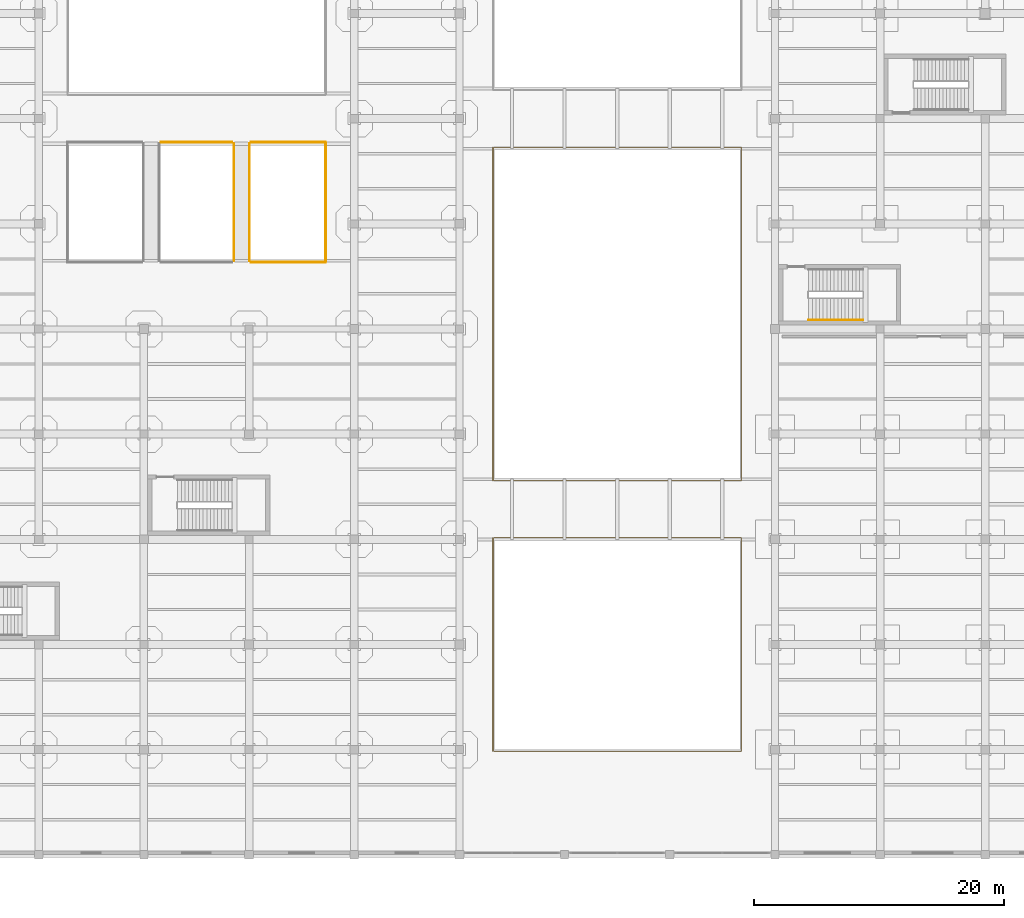
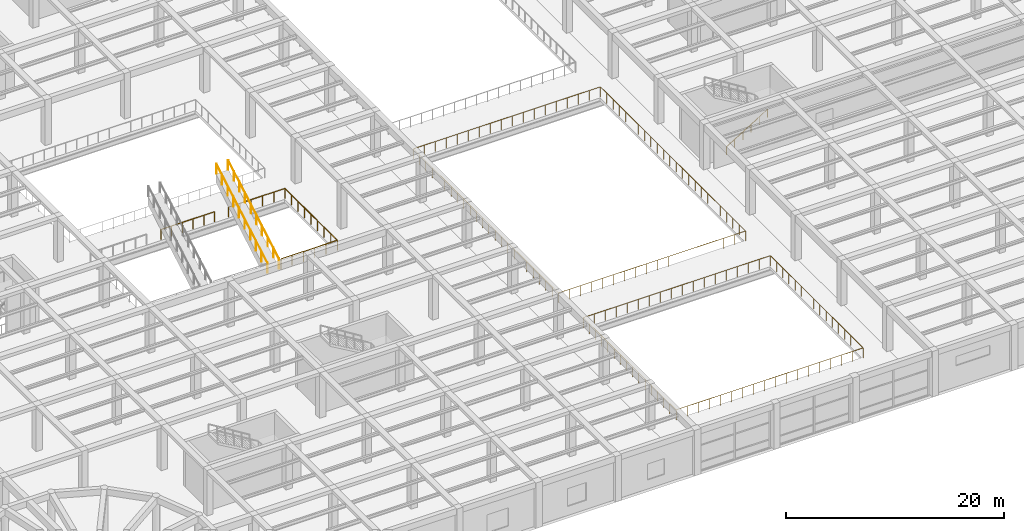
# One storey, part 86 of 96: 8 railings.
"""IFC4 building model written with IfcOpenShell, lengths in metres."""

from ifc_helpers import new_model, si_unit, direction, frame, origin, origin_2d, place, context, subcontext, project, spatial, circle, extrude, material, type_object, element, save


model = new_model("IFC4")

# Units and contexts
model_context = context("Model", 3, precision=1e-05, world=origin(), true_north=direction((0.0, 1.0)))
body_context = subcontext(model_context, "Body", "Model", "MODEL_VIEW")
ifc_project = project(units=[si_unit("LENGTHUNIT", "METRE"), si_unit("AREAUNIT", "SQUARE_METRE"), si_unit("VOLUMEUNIT", "CUBIC_METRE"), si_unit("PLANEANGLEUNIT", "RADIAN"), si_unit("MASSUNIT", "GRAM", prefix="KILO")], contexts=[model_context])

# Site, building, storey
site_placement = place(None, origin())
site = spatial("IfcSite", under=ifc_project, at=site_placement, CompositionType="ELEMENT")
building_placement = place(site_placement, origin())
building = spatial("IfcBuilding", under=site, at=building_placement, Name="Almacenes y Pasaje Nevantli", CompositionType="ELEMENT")
storey_placement = place(building_placement, frame((0.0, 0.0, 6.0)))
storey = spatial("IfcBuildingStorey", under=building, at=storey_placement, Name="L02", CompositionType="ELEMENT", Elevation=6.0)

# Railings
ifc_material_1 = material(Name="Brushed Stainless Steel and Tempered Safety Glass", Category="steel")
railing_type_1 = type_object("IfcRailingType", Name="RL-GUARD-1100", PredefinedType="BALUSTRADE", material=ifc_material_1)
for number, where, name in (
    (1, (49.179931640625, 47.449951171875, 0.0), "Atrium Escalator ESC-04 W Balustrade"),
    (2, (50.419921875, 47.449951171875, 0.0), "Atrium Escalator ESC-04 E Balustrade"),
):
    element("IfcRailing", number, at=place(storey_placement, frame(where)), inside=storey, type_object=railing_type_1, Name=name, PredefinedType="BALUSTRADE", context=body_context, shape_type="SweptSolid", body=[
        extrude(circle(Radius=0.02392578125, at=origin_2d()), frame((0.0, 0.02587890625, 1.140869140625), z_axis=(0.0, 0.865960390863, 0.50011258878), x_axis=(-1.0, 0.0, 0.0)), (0.0, 0.0, 1.0), 10.7373046875),
        extrude(circle(Radius=0.02099609375, at=origin_2d()), origin(), (0.0, 0.0, 1.0), 1.096923828125),
        extrude(circle(Radius=0.02099609375, at=origin_2d()), frame((0.0, 1.038818359375, 0.60009765625)), (0.0, 0.0, 1.0), 1.096923828125),
        extrude(circle(Radius=0.02099609375, at=origin_2d()), frame((0.0, 2.077880859375, 1.199951171875)), (0.0, 0.0, 1.0), 1.096923828125),
        extrude(circle(Radius=0.02099609375, at=origin_2d()), frame((0.0, 3.11669921875, 1.800048828125)), (0.0, 0.0, 1.0), 1.096923828125),
        extrude(circle(Radius=0.02099609375, at=origin_2d()), frame((0.0, 4.155517578125, 2.39990234375)), (0.0, 0.0, 1.0), 1.096923828125),
        extrude(circle(Radius=0.02099609375, at=origin_2d()), frame((0.0, 5.194580078125, 3.0)), (0.0, 0.0, 1.0), 1.096923828125),
        extrude(circle(Radius=0.02099609375, at=origin_2d()), frame((0.0, 6.2333984375, 3.599853515625)), (0.0, 0.0, 1.0), 1.096923828125),
        extrude(circle(Radius=0.02099609375, at=origin_2d()), frame((0.0, 7.272216796875, 4.199951171875)), (0.0, 0.0, 1.0), 1.096923828125),
        extrude(circle(Radius=0.02099609375, at=origin_2d()), frame((0.0, 8.311279296875, 4.7998046875)), (0.0, 0.0, 1.0), 1.096923828125),
        extrude(circle(Radius=0.02099609375, at=origin_2d()), frame((0.0, 9.35009765625, 5.39990234375)), (0.0, 0.0, 1.0), 1.096923828125),
    ])
railing_1_placement = place(storey_placement, frame((43.35009765625, 56.919921875, 0.0)))
element("IfcRailing", 3, at=railing_1_placement, inside=storey, type_object=railing_type_1, Name="L02 South Atrium Bridge Center Guard Balustrade", PredefinedType="BALUSTRADE", context=body_context, shape_type="SweptSolid", body=[
    extrude(circle(Radius=0.02392578125, at=origin_2d()), frame((0.030029296875, 0.0, 1.1259765625), z_axis=(1.0, 0.0, 0.0), x_axis=(0.0, 1.0, 0.0)), (0.0, 0.0, 1.0), 5.639892578125),
    extrude(circle(Radius=0.02099609375, at=origin_2d()), origin(), (0.0, 0.0, 1.0), 1.096923828125),
    extrude(circle(Radius=0.02099609375, at=origin_2d()), frame((1.139892578125, 0.0, 0.0)), (0.0, 0.0, 1.0), 1.096923828125),
    extrude(circle(Radius=0.02099609375, at=origin_2d()), frame((2.280029296875, 0.0, 0.0)), (0.0, 0.0, 1.0), 1.096923828125),
    extrude(circle(Radius=0.02099609375, at=origin_2d()), frame((3.419921875, 0.0, 0.0)), (0.0, 0.0, 1.0), 1.096923828125),
    extrude(circle(Radius=0.02099609375, at=origin_2d()), frame((4.56005859375, 0.0, 0.0)), (0.0, 0.0, 1.0), 1.096923828125),
    extrude(circle(Radius=0.02099609375, at=origin_2d()), frame((5.699951171875, 0.0, 0.0)), (0.0, 0.0, 1.0), 1.096923828125),
])
railing_2_placement = place(storey_placement, frame((50.550048828125, 56.919921875, 0.0)))
element("IfcRailing", 4, at=railing_2_placement, inside=storey, type_object=railing_type_1, Name="L02 South Atrium Void East Guard Balustrade", PredefinedType="BALUSTRADE", context=body_context, shape_type="SweptSolid", body=[
    extrude(circle(Radius=0.02392578125, at=origin_2d()), frame((0.030029296875, 0.0, 1.1259765625), z_axis=(1.0, 0.0, 0.0), x_axis=(0.0, 1.0, 0.0)), (0.0, 0.0, 1.0), 5.909912109375),
    extrude(circle(Radius=0.02392578125, at=origin_2d()), frame((5.969970703125, -0.030029296875, 1.1259765625), z_axis=(0.0, -1.0, 0.0), x_axis=(1.0, 0.0, 0.0)), (0.0, 0.0, 1.0), 9.52978515625),
    extrude(circle(Radius=0.02099609375, at=origin_2d()), origin(), (0.0, 0.0, 1.0), 1.096923828125),
    extrude(circle(Radius=0.02099609375, at=origin_2d()), frame((1.194091796875, 0.0, 0.0)), (0.0, 0.0, 1.0), 1.096923828125),
    extrude(circle(Radius=0.02099609375, at=origin_2d()), frame((2.387939453125, 0.0, 0.0)), (0.0, 0.0, 1.0), 1.096923828125),
    extrude(circle(Radius=0.02099609375, at=origin_2d()), frame((3.58203125, 0.0, 0.0)), (0.0, 0.0, 1.0), 1.096923828125),
    extrude(circle(Radius=0.02099609375, at=origin_2d()), frame((4.77587890625, 0.0, 0.0)), (0.0, 0.0, 1.0), 1.096923828125),
    extrude(circle(Radius=0.02099609375, at=origin_2d()), frame((5.969970703125, 0.0, 0.0)), (0.0, 0.0, 1.0), 1.096923828125),
    extrude(circle(Radius=0.02099609375, at=origin_2d()), frame((5.969970703125, -1.19873046875, 0.0)), (0.0, 0.0, 1.0), 1.096923828125),
    extrude(circle(Radius=0.02099609375, at=origin_2d()), frame((5.969970703125, -2.3974609375, 0.0)), (0.0, 0.0, 1.0), 1.096923828125),
    extrude(circle(Radius=0.02099609375, at=origin_2d()), frame((5.969970703125, -3.59619140625, 0.0)), (0.0, 0.0, 1.0), 1.096923828125),
    extrude(circle(Radius=0.02099609375, at=origin_2d()), frame((5.969970703125, -4.794921875, 0.0)), (0.0, 0.0, 1.0), 1.096923828125),
    extrude(circle(Radius=0.02099609375, at=origin_2d()), frame((5.969970703125, -5.99365234375, 0.0)), (0.0, 0.0, 1.0), 1.096923828125),
    extrude(circle(Radius=0.02099609375, at=origin_2d()), frame((5.969970703125, -7.1923828125, 0.0)), (0.0, 0.0, 1.0), 1.096923828125),
    extrude(circle(Radius=0.02099609375, at=origin_2d()), frame((5.969970703125, -8.39111328125, 0.0)), (0.0, 0.0, 1.0), 1.096923828125),
    extrude(circle(Radius=0.02099609375, at=origin_2d()), frame((5.969970703125, -9.58984375, 0.0)), (0.0, 0.0, 1.0), 1.096923828125),
])
railing_3_placement = place(storey_placement, frame((50.550048828125, 47.330078125, 0.0)))
element("IfcRailing", 5, at=railing_3_placement, inside=storey, type_object=railing_type_1, Name="L02 South Atrium South-East Guard", PredefinedType="BALUSTRADE", context=body_context, shape_type="SweptSolid", body=[
    extrude(circle(Radius=0.02392578125, at=origin_2d()), frame((0.030029296875, 0.0, 1.1259765625), z_axis=(1.0, 0.0, 0.0), x_axis=(0.0, 1.0, 0.0)), (0.0, 0.0, 1.0), 5.909912109375),
    extrude(circle(Radius=0.02099609375, at=origin_2d()), origin(), (0.0, 0.0, 1.0), 1.096923828125),
    extrude(circle(Radius=0.02099609375, at=origin_2d()), frame((1.194091796875, 0.0, 0.0)), (0.0, 0.0, 1.0), 1.096923828125),
    extrude(circle(Radius=0.02099609375, at=origin_2d()), frame((2.387939453125, 0.0, 0.0)), (0.0, 0.0, 1.0), 1.096923828125),
    extrude(circle(Radius=0.02099609375, at=origin_2d()), frame((3.58203125, 0.0, 0.0)), (0.0, 0.0, 1.0), 1.096923828125),
    extrude(circle(Radius=0.02099609375, at=origin_2d()), frame((4.77587890625, 0.0, 0.0)), (0.0, 0.0, 1.0), 1.096923828125),
    extrude(circle(Radius=0.02099609375, at=origin_2d()), frame((5.969970703125, 0.0, 0.0)), (0.0, 0.0, 1.0), 1.096923828125),
])
railing_4_placement = place(storey_placement, frame((69.8798828125, 8.280029296875, 0.0)))
element("IfcRailing", 6, at=railing_4_placement, inside=storey, type_object=railing_type_1, Name="L02 Arcade Galleria Void VOID-ARC-1 Guard Balustrade", PredefinedType="BALUSTRADE", context=body_context, shape_type="SweptSolid", body=[
    extrude(circle(Radius=0.02392578125, at=origin_2d()), frame((0.030029296875, 0.0, 1.1259765625), z_axis=(1.0, 0.0, 0.0), x_axis=(0.0, 1.0, 0.0)), (0.0, 0.0, 1.0), 19.780029296875),
    extrude(circle(Radius=0.02392578125, at=origin_2d()), frame((19.840087890625, 0.030029296875, 1.1259765625), z_axis=(0.0, 1.0, 0.0), x_axis=(-1.0, 0.0, 0.0)), (0.0, 0.0, 1.0), 16.97998046875),
    extrude(circle(Radius=0.02392578125, at=origin_2d()), frame((19.81005859375, 17.0400390625, 1.1259765625), z_axis=(-1.0, 0.0, 0.0), x_axis=(0.0, -1.0, 0.0)), (0.0, 0.0, 1.0), 19.780029296875),
    extrude(circle(Radius=0.02392578125, at=origin_2d()), frame((0.0, 17.010009765625, 1.1259765625), z_axis=(0.0, -1.0, 0.0), x_axis=(1.0, 0.0, 0.0)), (0.0, 0.0, 1.0), 16.97998046875),
    extrude(circle(Radius=0.02099609375, at=origin_2d()), origin(), (0.0, 0.0, 1.0), 1.096923828125),
    extrude(circle(Radius=0.02099609375, at=origin_2d()), frame((1.1669921875, 0.0, 0.0)), (0.0, 0.0, 1.0), 1.096923828125),
    extrude(circle(Radius=0.02099609375, at=origin_2d()), frame((2.334228515625, 0.0, 0.0)), (0.0, 0.0, 1.0), 1.096923828125),
    extrude(circle(Radius=0.02099609375, at=origin_2d()), frame((3.501220703125, 0.0, 0.0)), (0.0, 0.0, 1.0), 1.096923828125),
    extrude(circle(Radius=0.02099609375, at=origin_2d()), frame((4.668212890625, 0.0, 0.0)), (0.0, 0.0, 1.0), 1.096923828125),
    extrude(circle(Radius=0.02099609375, at=origin_2d()), frame((5.835205078125, 0.0, 0.0)), (0.0, 0.0, 1.0), 1.096923828125),
    extrude(circle(Radius=0.02099609375, at=origin_2d()), frame((7.00244140625, 0.0, 0.0)), (0.0, 0.0, 1.0), 1.096923828125),
    extrude(circle(Radius=0.02099609375, at=origin_2d()), frame((8.16943359375, 0.0, 0.0)), (0.0, 0.0, 1.0), 1.096923828125),
    extrude(circle(Radius=0.02099609375, at=origin_2d()), frame((9.33642578125, 0.0, 0.0)), (0.0, 0.0, 1.0), 1.096923828125),
    extrude(circle(Radius=0.02099609375, at=origin_2d()), frame((10.503662109375, 0.0, 0.0)), (0.0, 0.0, 1.0), 1.096923828125),
    extrude(circle(Radius=0.02099609375, at=origin_2d()), frame((11.670654296875, 0.0, 0.0)), (0.0, 0.0, 1.0), 1.096923828125),
    extrude(circle(Radius=0.02099609375, at=origin_2d()), frame((12.837646484375, 0.0, 0.0)), (0.0, 0.0, 1.0), 1.096923828125),
    extrude(circle(Radius=0.02099609375, at=origin_2d()), frame((14.0048828125, 0.0, 0.0)), (0.0, 0.0, 1.0), 1.096923828125),
    extrude(circle(Radius=0.02099609375, at=origin_2d()), frame((15.171875, 0.0, 0.0)), (0.0, 0.0, 1.0), 1.096923828125),
    extrude(circle(Radius=0.02099609375, at=origin_2d()), frame((16.3388671875, 0.0, 0.0)), (0.0, 0.0, 1.0), 1.096923828125),
    extrude(circle(Radius=0.02099609375, at=origin_2d()), frame((17.505859375, 0.0, 0.0)), (0.0, 0.0, 1.0), 1.096923828125),
    extrude(circle(Radius=0.02099609375, at=origin_2d()), frame((18.673095703125, 0.0, 0.0)), (0.0, 0.0, 1.0), 1.096923828125),
    extrude(circle(Radius=0.02099609375, at=origin_2d()), frame((19.840087890625, 0.0, 0.0)), (0.0, 0.0, 1.0), 1.096923828125),
    extrude(circle(Radius=0.02099609375, at=origin_2d()), frame((19.840087890625, 1.135986328125, 0.0)), (0.0, 0.0, 1.0), 1.096923828125),
    extrude(circle(Radius=0.02099609375, at=origin_2d()), frame((19.840087890625, 2.27197265625, 0.0)), (0.0, 0.0, 1.0), 1.096923828125),
    extrude(circle(Radius=0.02099609375, at=origin_2d()), frame((19.840087890625, 3.407958984375, 0.0)), (0.0, 0.0, 1.0), 1.096923828125),
    extrude(circle(Radius=0.02099609375, at=origin_2d()), frame((19.840087890625, 4.5439453125, 0.0)), (0.0, 0.0, 1.0), 1.096923828125),
    extrude(circle(Radius=0.02099609375, at=origin_2d()), frame((19.840087890625, 5.679931640625, 0.0)), (0.0, 0.0, 1.0), 1.096923828125),
    extrude(circle(Radius=0.02099609375, at=origin_2d()), frame((19.840087890625, 6.81591796875, 0.0)), (0.0, 0.0, 1.0), 1.096923828125),
    extrude(circle(Radius=0.02099609375, at=origin_2d()), frame((19.840087890625, 7.951904296875, 0.0)), (0.0, 0.0, 1.0), 1.096923828125),
    extrude(circle(Radius=0.02099609375, at=origin_2d()), frame((19.840087890625, 9.088134765625, 0.0)), (0.0, 0.0, 1.0), 1.096923828125),
    extrude(circle(Radius=0.02099609375, at=origin_2d()), frame((19.840087890625, 10.22412109375, 0.0)), (0.0, 0.0, 1.0), 1.096923828125),
    extrude(circle(Radius=0.02099609375, at=origin_2d()), frame((19.840087890625, 11.360107421875, 0.0)), (0.0, 0.0, 1.0), 1.096923828125),
    extrude(circle(Radius=0.02099609375, at=origin_2d()), frame((19.840087890625, 12.49609375, 0.0)), (0.0, 0.0, 1.0), 1.096923828125),
    extrude(circle(Radius=0.02099609375, at=origin_2d()), frame((19.840087890625, 13.632080078125, 0.0)), (0.0, 0.0, 1.0), 1.096923828125),
    extrude(circle(Radius=0.02099609375, at=origin_2d()), frame((19.840087890625, 14.76806640625, 0.0)), (0.0, 0.0, 1.0), 1.096923828125),
    extrude(circle(Radius=0.02099609375, at=origin_2d()), frame((19.840087890625, 15.904052734375, 0.0)), (0.0, 0.0, 1.0), 1.096923828125),
    extrude(circle(Radius=0.02099609375, at=origin_2d()), frame((19.840087890625, 17.0400390625, 0.0)), (0.0, 0.0, 1.0), 1.096923828125),
    extrude(circle(Radius=0.02099609375, at=origin_2d()), frame((18.673095703125, 17.0400390625, 0.0)), (0.0, 0.0, 1.0), 1.096923828125),
    extrude(circle(Radius=0.02099609375, at=origin_2d()), frame((17.505859375, 17.0400390625, 0.0)), (0.0, 0.0, 1.0), 1.096923828125),
    extrude(circle(Radius=0.02099609375, at=origin_2d()), frame((16.3388671875, 17.0400390625, 0.0)), (0.0, 0.0, 1.0), 1.096923828125),
    extrude(circle(Radius=0.02099609375, at=origin_2d()), frame((15.171875, 17.0400390625, 0.0)), (0.0, 0.0, 1.0), 1.096923828125),
    extrude(circle(Radius=0.02099609375, at=origin_2d()), frame((14.0048828125, 17.0400390625, 0.0)), (0.0, 0.0, 1.0), 1.096923828125),
    extrude(circle(Radius=0.02099609375, at=origin_2d()), frame((12.837646484375, 17.0400390625, 0.0)), (0.0, 0.0, 1.0), 1.096923828125),
    extrude(circle(Radius=0.02099609375, at=origin_2d()), frame((11.670654296875, 17.0400390625, 0.0)), (0.0, 0.0, 1.0), 1.096923828125),
    extrude(circle(Radius=0.02099609375, at=origin_2d()), frame((10.503662109375, 17.0400390625, 0.0)), (0.0, 0.0, 1.0), 1.096923828125),
    extrude(circle(Radius=0.02099609375, at=origin_2d()), frame((9.33642578125, 17.0400390625, 0.0)), (0.0, 0.0, 1.0), 1.096923828125),
    extrude(circle(Radius=0.02099609375, at=origin_2d()), frame((8.16943359375, 17.0400390625, 0.0)), (0.0, 0.0, 1.0), 1.096923828125),
    extrude(circle(Radius=0.02099609375, at=origin_2d()), frame((7.00244140625, 17.0400390625, 0.0)), (0.0, 0.0, 1.0), 1.096923828125),
    extrude(circle(Radius=0.02099609375, at=origin_2d()), frame((5.835205078125, 17.0400390625, 0.0)), (0.0, 0.0, 1.0), 1.096923828125),
    extrude(circle(Radius=0.02099609375, at=origin_2d()), frame((4.668212890625, 17.0400390625, 0.0)), (0.0, 0.0, 1.0), 1.096923828125),
    extrude(circle(Radius=0.02099609375, at=origin_2d()), frame((3.501220703125, 17.0400390625, 0.0)), (0.0, 0.0, 1.0), 1.096923828125),
    extrude(circle(Radius=0.02099609375, at=origin_2d()), frame((2.334228515625, 17.0400390625, 0.0)), (0.0, 0.0, 1.0), 1.096923828125),
    extrude(circle(Radius=0.02099609375, at=origin_2d()), frame((1.1669921875, 17.0400390625, 0.0)), (0.0, 0.0, 1.0), 1.096923828125),
    extrude(circle(Radius=0.02099609375, at=origin_2d()), frame((0.0, 17.0400390625, 0.0)), (0.0, 0.0, 1.0), 1.096923828125),
    extrude(circle(Radius=0.02099609375, at=origin_2d()), frame((0.0, 15.904052734375, 0.0)), (0.0, 0.0, 1.0), 1.096923828125),
    extrude(circle(Radius=0.02099609375, at=origin_2d()), frame((0.0, 14.76806640625, 0.0)), (0.0, 0.0, 1.0), 1.096923828125),
    extrude(circle(Radius=0.02099609375, at=origin_2d()), frame((0.0, 13.632080078125, 0.0)), (0.0, 0.0, 1.0), 1.096923828125),
    extrude(circle(Radius=0.02099609375, at=origin_2d()), frame((0.0, 12.49609375, 0.0)), (0.0, 0.0, 1.0), 1.096923828125),
    extrude(circle(Radius=0.02099609375, at=origin_2d()), frame((0.0, 11.360107421875, 0.0)), (0.0, 0.0, 1.0), 1.096923828125),
    extrude(circle(Radius=0.02099609375, at=origin_2d()), frame((0.0, 10.22412109375, 0.0)), (0.0, 0.0, 1.0), 1.096923828125),
    extrude(circle(Radius=0.02099609375, at=origin_2d()), frame((0.0, 9.088134765625, 0.0)), (0.0, 0.0, 1.0), 1.096923828125),
    extrude(circle(Radius=0.02099609375, at=origin_2d()), frame((0.0, 7.951904296875, 0.0)), (0.0, 0.0, 1.0), 1.096923828125),
    extrude(circle(Radius=0.02099609375, at=origin_2d()), frame((0.0, 6.81591796875, 0.0)), (0.0, 0.0, 1.0), 1.096923828125),
    extrude(circle(Radius=0.02099609375, at=origin_2d()), frame((0.0, 5.679931640625, 0.0)), (0.0, 0.0, 1.0), 1.096923828125),
    extrude(circle(Radius=0.02099609375, at=origin_2d()), frame((0.0, 4.5439453125, 0.0)), (0.0, 0.0, 1.0), 1.096923828125),
    extrude(circle(Radius=0.02099609375, at=origin_2d()), frame((0.0, 3.407958984375, 0.0)), (0.0, 0.0, 1.0), 1.096923828125),
    extrude(circle(Radius=0.02099609375, at=origin_2d()), frame((0.0, 2.27197265625, 0.0)), (0.0, 0.0, 1.0), 1.096923828125),
    extrude(circle(Radius=0.02099609375, at=origin_2d()), frame((0.0, 1.135986328125, 0.0)), (0.0, 0.0, 1.0), 1.096923828125),
])
railing_5_placement = place(storey_placement, frame((69.8798828125, 29.8798828125, 0.0)))
element("IfcRailing", 7, at=railing_5_placement, inside=storey, type_object=railing_type_1, Name="L02 Arcade Galleria Void VOID-ARC-2 Guard Balustrade", PredefinedType="BALUSTRADE", context=body_context, shape_type="SweptSolid", body=[
    extrude(circle(Radius=0.02392578125, at=origin_2d()), frame((0.030029296875, 0.0, 1.1259765625), z_axis=(1.0, 0.0, 0.0), x_axis=(0.0, 1.0, 0.0)), (0.0, 0.0, 1.0), 19.780029296875),
    extrude(circle(Radius=0.02392578125, at=origin_2d()), frame((19.840087890625, 0.030029296875, 1.1259765625), z_axis=(0.0, 1.0, 0.0), x_axis=(-1.0, 0.0, 0.0)), (0.0, 0.0, 1.0), 26.580078125),
    extrude(circle(Radius=0.02392578125, at=origin_2d()), frame((19.81005859375, 26.64013671875, 1.1259765625), z_axis=(-1.0, 0.0, 0.0), x_axis=(0.0, -1.0, 0.0)), (0.0, 0.0, 1.0), 19.780029296875),
    extrude(circle(Radius=0.02392578125, at=origin_2d()), frame((0.0, 26.610107421875, 1.1259765625), z_axis=(0.0, -1.0, 0.0), x_axis=(1.0, 0.0, 0.0)), (0.0, 0.0, 1.0), 26.580078125),
    extrude(circle(Radius=0.02099609375, at=origin_2d()), origin(), (0.0, 0.0, 1.0), 1.096923828125),
    extrude(circle(Radius=0.02099609375, at=origin_2d()), frame((1.1669921875, 0.0, 0.0)), (0.0, 0.0, 1.0), 1.096923828125),
    extrude(circle(Radius=0.02099609375, at=origin_2d()), frame((2.334228515625, 0.0, 0.0)), (0.0, 0.0, 1.0), 1.096923828125),
    extrude(circle(Radius=0.02099609375, at=origin_2d()), frame((3.501220703125, 0.0, 0.0)), (0.0, 0.0, 1.0), 1.096923828125),
    extrude(circle(Radius=0.02099609375, at=origin_2d()), frame((4.668212890625, 0.0, 0.0)), (0.0, 0.0, 1.0), 1.096923828125),
    extrude(circle(Radius=0.02099609375, at=origin_2d()), frame((5.835205078125, 0.0, 0.0)), (0.0, 0.0, 1.0), 1.096923828125),
    extrude(circle(Radius=0.02099609375, at=origin_2d()), frame((7.00244140625, 0.0, 0.0)), (0.0, 0.0, 1.0), 1.096923828125),
    extrude(circle(Radius=0.02099609375, at=origin_2d()), frame((8.16943359375, 0.0, 0.0)), (0.0, 0.0, 1.0), 1.096923828125),
    extrude(circle(Radius=0.02099609375, at=origin_2d()), frame((9.33642578125, 0.0, 0.0)), (0.0, 0.0, 1.0), 1.096923828125),
    extrude(circle(Radius=0.02099609375, at=origin_2d()), frame((10.503662109375, 0.0, 0.0)), (0.0, 0.0, 1.0), 1.096923828125),
    extrude(circle(Radius=0.02099609375, at=origin_2d()), frame((11.670654296875, 0.0, 0.0)), (0.0, 0.0, 1.0), 1.096923828125),
    extrude(circle(Radius=0.02099609375, at=origin_2d()), frame((12.837646484375, 0.0, 0.0)), (0.0, 0.0, 1.0), 1.096923828125),
    extrude(circle(Radius=0.02099609375, at=origin_2d()), frame((14.0048828125, 0.0, 0.0)), (0.0, 0.0, 1.0), 1.096923828125),
    extrude(circle(Radius=0.02099609375, at=origin_2d()), frame((15.171875, 0.0, 0.0)), (0.0, 0.0, 1.0), 1.096923828125),
    extrude(circle(Radius=0.02099609375, at=origin_2d()), frame((16.3388671875, 0.0, 0.0)), (0.0, 0.0, 1.0), 1.096923828125),
    extrude(circle(Radius=0.02099609375, at=origin_2d()), frame((17.505859375, 0.0, 0.0)), (0.0, 0.0, 1.0), 1.096923828125),
    extrude(circle(Radius=0.02099609375, at=origin_2d()), frame((18.673095703125, 0.0, 0.0)), (0.0, 0.0, 1.0), 1.096923828125),
    extrude(circle(Radius=0.02099609375, at=origin_2d()), frame((19.840087890625, 0.0, 0.0)), (0.0, 0.0, 1.0), 1.096923828125),
    extrude(circle(Radius=0.02099609375, at=origin_2d()), frame((19.840087890625, 1.158203125, 0.0)), (0.0, 0.0, 1.0), 1.096923828125),
    extrude(circle(Radius=0.02099609375, at=origin_2d()), frame((19.840087890625, 2.316650390625, 0.0)), (0.0, 0.0, 1.0), 1.096923828125),
    extrude(circle(Radius=0.02099609375, at=origin_2d()), frame((19.840087890625, 3.474853515625, 0.0)), (0.0, 0.0, 1.0), 1.096923828125),
    extrude(circle(Radius=0.02099609375, at=origin_2d()), frame((19.840087890625, 4.633056640625, 0.0)), (0.0, 0.0, 1.0), 1.096923828125),
    extrude(circle(Radius=0.02099609375, at=origin_2d()), frame((19.840087890625, 5.791259765625, 0.0)), (0.0, 0.0, 1.0), 1.096923828125),
    extrude(circle(Radius=0.02099609375, at=origin_2d()), frame((19.840087890625, 6.94970703125, 0.0)), (0.0, 0.0, 1.0), 1.096923828125),
    extrude(circle(Radius=0.02099609375, at=origin_2d()), frame((19.840087890625, 8.10791015625, 0.0)), (0.0, 0.0, 1.0), 1.096923828125),
    extrude(circle(Radius=0.02099609375, at=origin_2d()), frame((19.840087890625, 9.26611328125, 0.0)), (0.0, 0.0, 1.0), 1.096923828125),
    extrude(circle(Radius=0.02099609375, at=origin_2d()), frame((19.840087890625, 10.42431640625, 0.0)), (0.0, 0.0, 1.0), 1.096923828125),
    extrude(circle(Radius=0.02099609375, at=origin_2d()), frame((19.840087890625, 11.582763671875, 0.0)), (0.0, 0.0, 1.0), 1.096923828125),
    extrude(circle(Radius=0.02099609375, at=origin_2d()), frame((19.840087890625, 12.740966796875, 0.0)), (0.0, 0.0, 1.0), 1.096923828125),
    extrude(circle(Radius=0.02099609375, at=origin_2d()), frame((19.840087890625, 13.899169921875, 0.0)), (0.0, 0.0, 1.0), 1.096923828125),
    extrude(circle(Radius=0.02099609375, at=origin_2d()), frame((19.840087890625, 15.057373046875, 0.0)), (0.0, 0.0, 1.0), 1.096923828125),
    extrude(circle(Radius=0.02099609375, at=origin_2d()), frame((19.840087890625, 16.2158203125, 0.0)), (0.0, 0.0, 1.0), 1.096923828125),
    extrude(circle(Radius=0.02099609375, at=origin_2d()), frame((19.840087890625, 17.3740234375, 0.0)), (0.0, 0.0, 1.0), 1.096923828125),
    extrude(circle(Radius=0.02099609375, at=origin_2d()), frame((19.840087890625, 18.5322265625, 0.0)), (0.0, 0.0, 1.0), 1.096923828125),
    extrude(circle(Radius=0.02099609375, at=origin_2d()), frame((19.840087890625, 19.6904296875, 0.0)), (0.0, 0.0, 1.0), 1.096923828125),
    extrude(circle(Radius=0.02099609375, at=origin_2d()), frame((19.840087890625, 20.848876953125, 0.0)), (0.0, 0.0, 1.0), 1.096923828125),
    extrude(circle(Radius=0.02099609375, at=origin_2d()), frame((19.840087890625, 22.007080078125, 0.0)), (0.0, 0.0, 1.0), 1.096923828125),
    extrude(circle(Radius=0.02099609375, at=origin_2d()), frame((19.840087890625, 23.165283203125, 0.0)), (0.0, 0.0, 1.0), 1.096923828125),
    extrude(circle(Radius=0.02099609375, at=origin_2d()), frame((19.840087890625, 24.323486328125, 0.0)), (0.0, 0.0, 1.0), 1.096923828125),
    extrude(circle(Radius=0.02099609375, at=origin_2d()), frame((19.840087890625, 25.48193359375, 0.0)), (0.0, 0.0, 1.0), 1.096923828125),
    extrude(circle(Radius=0.02099609375, at=origin_2d()), frame((19.840087890625, 26.64013671875, 0.0)), (0.0, 0.0, 1.0), 1.096923828125),
    extrude(circle(Radius=0.02099609375, at=origin_2d()), frame((18.673095703125, 26.64013671875, 0.0)), (0.0, 0.0, 1.0), 1.096923828125),
    extrude(circle(Radius=0.02099609375, at=origin_2d()), frame((17.505859375, 26.64013671875, 0.0)), (0.0, 0.0, 1.0), 1.096923828125),
    extrude(circle(Radius=0.02099609375, at=origin_2d()), frame((16.3388671875, 26.64013671875, 0.0)), (0.0, 0.0, 1.0), 1.096923828125),
    extrude(circle(Radius=0.02099609375, at=origin_2d()), frame((15.171875, 26.64013671875, 0.0)), (0.0, 0.0, 1.0), 1.096923828125),
    extrude(circle(Radius=0.02099609375, at=origin_2d()), frame((14.0048828125, 26.64013671875, 0.0)), (0.0, 0.0, 1.0), 1.096923828125),
    extrude(circle(Radius=0.02099609375, at=origin_2d()), frame((12.837646484375, 26.64013671875, 0.0)), (0.0, 0.0, 1.0), 1.096923828125),
    extrude(circle(Radius=0.02099609375, at=origin_2d()), frame((11.670654296875, 26.64013671875, 0.0)), (0.0, 0.0, 1.0), 1.096923828125),
    extrude(circle(Radius=0.02099609375, at=origin_2d()), frame((10.503662109375, 26.64013671875, 0.0)), (0.0, 0.0, 1.0), 1.096923828125),
    extrude(circle(Radius=0.02099609375, at=origin_2d()), frame((9.33642578125, 26.64013671875, 0.0)), (0.0, 0.0, 1.0), 1.096923828125),
    extrude(circle(Radius=0.02099609375, at=origin_2d()), frame((8.16943359375, 26.64013671875, 0.0)), (0.0, 0.0, 1.0), 1.096923828125),
    extrude(circle(Radius=0.02099609375, at=origin_2d()), frame((7.00244140625, 26.64013671875, 0.0)), (0.0, 0.0, 1.0), 1.096923828125),
    extrude(circle(Radius=0.02099609375, at=origin_2d()), frame((5.835205078125, 26.64013671875, 0.0)), (0.0, 0.0, 1.0), 1.096923828125),
    extrude(circle(Radius=0.02099609375, at=origin_2d()), frame((4.668212890625, 26.64013671875, 0.0)), (0.0, 0.0, 1.0), 1.096923828125),
    extrude(circle(Radius=0.02099609375, at=origin_2d()), frame((3.501220703125, 26.64013671875, 0.0)), (0.0, 0.0, 1.0), 1.096923828125),
    extrude(circle(Radius=0.02099609375, at=origin_2d()), frame((2.334228515625, 26.64013671875, 0.0)), (0.0, 0.0, 1.0), 1.096923828125),
    extrude(circle(Radius=0.02099609375, at=origin_2d()), frame((1.1669921875, 26.64013671875, 0.0)), (0.0, 0.0, 1.0), 1.096923828125),
    extrude(circle(Radius=0.02099609375, at=origin_2d()), frame((0.0, 26.64013671875, 0.0)), (0.0, 0.0, 1.0), 1.096923828125),
    extrude(circle(Radius=0.02099609375, at=origin_2d()), frame((0.0, 25.48193359375, 0.0)), (0.0, 0.0, 1.0), 1.096923828125),
    extrude(circle(Radius=0.02099609375, at=origin_2d()), frame((0.0, 24.323486328125, 0.0)), (0.0, 0.0, 1.0), 1.096923828125),
    extrude(circle(Radius=0.02099609375, at=origin_2d()), frame((0.0, 23.165283203125, 0.0)), (0.0, 0.0, 1.0), 1.096923828125),
    extrude(circle(Radius=0.02099609375, at=origin_2d()), frame((0.0, 22.007080078125, 0.0)), (0.0, 0.0, 1.0), 1.096923828125),
    extrude(circle(Radius=0.02099609375, at=origin_2d()), frame((0.0, 20.848876953125, 0.0)), (0.0, 0.0, 1.0), 1.096923828125),
    extrude(circle(Radius=0.02099609375, at=origin_2d()), frame((0.0, 19.6904296875, 0.0)), (0.0, 0.0, 1.0), 1.096923828125),
    extrude(circle(Radius=0.02099609375, at=origin_2d()), frame((0.0, 18.5322265625, 0.0)), (0.0, 0.0, 1.0), 1.096923828125),
    extrude(circle(Radius=0.02099609375, at=origin_2d()), frame((0.0, 17.3740234375, 0.0)), (0.0, 0.0, 1.0), 1.096923828125),
    extrude(circle(Radius=0.02099609375, at=origin_2d()), frame((0.0, 16.2158203125, 0.0)), (0.0, 0.0, 1.0), 1.096923828125),
    extrude(circle(Radius=0.02099609375, at=origin_2d()), frame((0.0, 15.057373046875, 0.0)), (0.0, 0.0, 1.0), 1.096923828125),
    extrude(circle(Radius=0.02099609375, at=origin_2d()), frame((0.0, 13.899169921875, 0.0)), (0.0, 0.0, 1.0), 1.096923828125),
    extrude(circle(Radius=0.02099609375, at=origin_2d()), frame((0.0, 12.740966796875, 0.0)), (0.0, 0.0, 1.0), 1.096923828125),
    extrude(circle(Radius=0.02099609375, at=origin_2d()), frame((0.0, 11.582763671875, 0.0)), (0.0, 0.0, 1.0), 1.096923828125),
    extrude(circle(Radius=0.02099609375, at=origin_2d()), frame((0.0, 10.42431640625, 0.0)), (0.0, 0.0, 1.0), 1.096923828125),
    extrude(circle(Radius=0.02099609375, at=origin_2d()), frame((0.0, 9.26611328125, 0.0)), (0.0, 0.0, 1.0), 1.096923828125),
    extrude(circle(Radius=0.02099609375, at=origin_2d()), frame((0.0, 8.10791015625, 0.0)), (0.0, 0.0, 1.0), 1.096923828125),
    extrude(circle(Radius=0.02099609375, at=origin_2d()), frame((0.0, 6.94970703125, 0.0)), (0.0, 0.0, 1.0), 1.096923828125),
    extrude(circle(Radius=0.02099609375, at=origin_2d()), frame((0.0, 5.791259765625, 0.0)), (0.0, 0.0, 1.0), 1.096923828125),
    extrude(circle(Radius=0.02099609375, at=origin_2d()), frame((0.0, 4.633056640625, 0.0)), (0.0, 0.0, 1.0), 1.096923828125),
    extrude(circle(Radius=0.02099609375, at=origin_2d()), frame((0.0, 3.474853515625, 0.0)), (0.0, 0.0, 1.0), 1.096923828125),
    extrude(circle(Radius=0.02099609375, at=origin_2d()), frame((0.0, 2.316650390625, 0.0)), (0.0, 0.0, 1.0), 1.096923828125),
    extrude(circle(Radius=0.02099609375, at=origin_2d()), frame((0.0, 1.158203125, 0.0)), (0.0, 0.0, 1.0), 1.096923828125),
])
ifc_material_2 = material(Name="Brushed Stainless Steel Tube", Category="steel")
railing_type_2 = type_object("IfcRailingType", Name="RL-HANDRAIL-900", PredefinedType="HANDRAIL", material=ifc_material_2)
railing_6_placement = place(storey_placement, frame((95.10009765625, 42.7099609375, 0.0)))
element("IfcRailing", 8, at=railing_6_placement, inside=storey, type_object=railing_type_2, Name="L02 Stair ST-08 Lower Flight Handrail", PredefinedType="HANDRAIL", context=body_context, shape_type="SweptSolid", body=[
    extrude(circle(Radius=0.02392578125, at=origin_2d()), frame((0.025390625, 0.0, 0.8916015625), z_axis=(0.849636482215, 0.0, 0.527368797038), x_axis=(0.0, 1.0, 0.0)), (0.0, 0.0, 1.0), 5.0595703125),
    extrude(circle(Radius=0.02099609375, at=origin_2d()), origin(), (0.0, 0.0, 1.0), 0.846923828125),
    extrude(circle(Radius=0.02099609375, at=origin_2d()), frame((0.869873046875, 0.0, 0.5400390625)), (0.0, 0.0, 1.0), 0.846923828125),
    extrude(circle(Radius=0.02099609375, at=origin_2d()), frame((1.739990234375, 0.0, 1.080078125)), (0.0, 0.0, 1.0), 0.846923828125),
    extrude(circle(Radius=0.02099609375, at=origin_2d()), frame((2.60986328125, 0.0, 1.619873046875)), (0.0, 0.0, 1.0), 0.846923828125),
    extrude(circle(Radius=0.02099609375, at=origin_2d()), frame((3.47998046875, 0.0, 2.159912109375)), (0.0, 0.0, 1.0), 0.846923828125),
    extrude(circle(Radius=0.02099609375, at=origin_2d()), frame((4.349853515625, 0.0, 2.699951171875)), (0.0, 0.0, 1.0), 0.846923828125),
])

save(model, "model.ifc")
